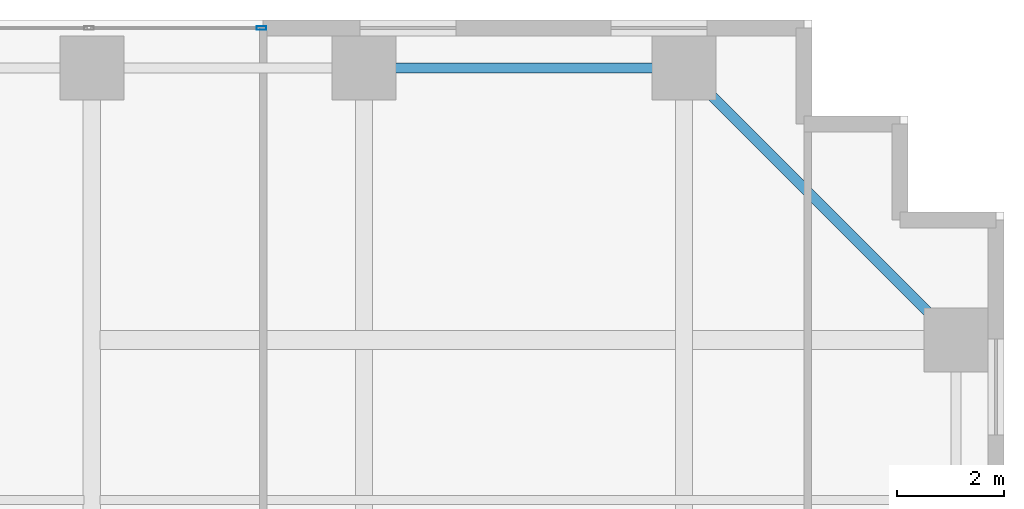
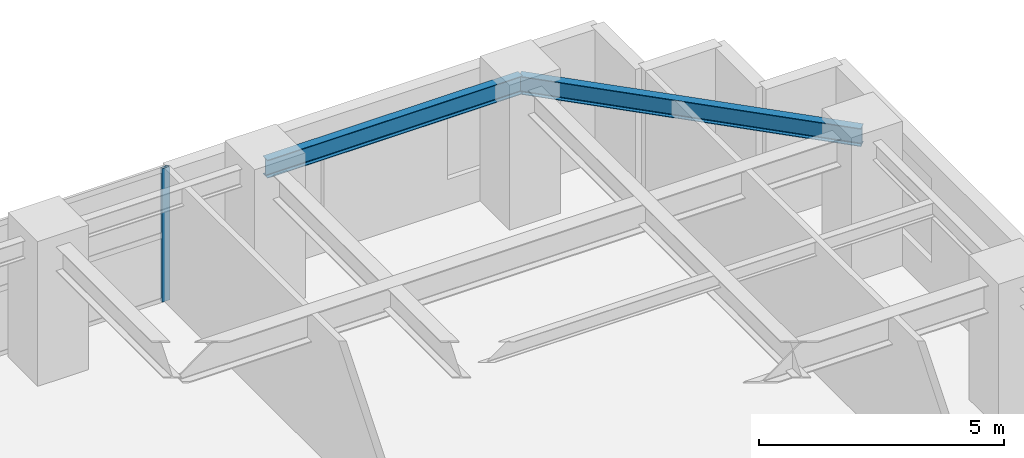
# One storey, part 18 of 24: 2 beams, 1 member, 1 element without a shape of its own.
"""IFC4 building model written with IfcOpenShell, lengths in metres."""

import ifcopenshell
import ifcopenshell.guid

model = None  # the IFC model being written
_history = None  # IfcOwnerHistory: only IFC2X3 demands one
_inside = {}  # id of a spatial element -> (the spatial element, [elements in it])
_under = {}  # id of a project, library or spatial element -> (it, [spatial elements below it])
_declared = {}  # id of a project -> (the project, [libraries it declares])
_typed = {}  # id of a type object -> (the type object, [elements of that type])
_made_of = {}  # id of a material, layer set ... -> (it, [elements and type objects made of it])


def new_model(schema):
    """Start an empty IFC model of exactly this schema.

    Asked for "IFC4X3", IfcOpenShell would pick the latest addendum, in which some entities
    have other attributes; the version numbers below select the first issue.
    IFC2X3 requires an IfcOwnerHistory on every rooted entity: one is made here for all.
    """
    global model, _history
    if schema == "IFC4X3":
        model = ifcopenshell.file(schema_version=(4, 3, 0, 0))
    else:
        model = ifcopenshell.file(schema=schema)
    _inside.clear()
    _under.clear()
    _declared.clear()
    _typed.clear()
    _made_of.clear()
    _history = None
    if model.schema == "IFC2X3":
        org = make("IfcOrganization", Name="unknown")
        user = make(
            "IfcPersonAndOrganization",
            ThePerson=make("IfcPerson", FamilyName="unknown"),
            TheOrganization=org,
        )
        app = make(
            "IfcApplication",
            ApplicationDeveloper=org,
            Version="unknown",
            ApplicationFullName="unknown",
            ApplicationIdentifier="unknown",
        )
        _history = make(
            "IfcOwnerHistory",
            OwningUser=user,
            OwningApplication=app,
            ChangeAction="ADDED",
            CreationDate=0,
        )
    return model


def make(cls, **values):
    """One entity of the class cls with the attributes given. An attribute that is None is left unset."""
    return model.create_entity(
        cls, **{name: value for name, value in values.items() if value is not None}
    )


def rooted(cls, **values):
    """An entity with a GlobalId (a new one), such as an element, a storey or a relation."""
    return make(cls, GlobalId=ifcopenshell.guid.new(), OwnerHistory=_history, **values)


def si_unit(unit_type, name, prefix=None):
    """IfcSIUnit, for example si_unit("LENGTHUNIT", "METRE", prefix="MILLI")."""
    return make("IfcSIUnit", UnitType=unit_type, Prefix=prefix, Name=name)


def assignment(units):
    """IfcUnitAssignment: the units of a project."""
    return None if units is None else make("IfcUnitAssignment", Units=units)


def point(xyz):
    """IfcCartesianPoint."""
    return None if xyz is None else make("IfcCartesianPoint", Coordinates=xyz)


def direction(xyz):
    """IfcDirection."""
    return None if xyz is None else make("IfcDirection", DirectionRatios=xyz)


def frame(location, z_axis=None, x_axis=None):
    """IfcAxis2Placement3D, a coordinate frame: its origin and axes. An axis left out is left unset."""
    return make(
        "IfcAxis2Placement3D",
        Location=point(location),
        Axis=direction(z_axis),
        RefDirection=direction(x_axis),
    )


def frame_2d(location, x_axis=None):
    """IfcAxis2Placement2D, a coordinate frame in the plane: its origin and x axis."""
    return make(
        "IfcAxis2Placement2D", Location=point(location), RefDirection=direction(x_axis)
    )


def origin():
    """The frame at (0, 0, 0) with its axes left unset."""
    return frame((0.0, 0.0, 0.0))


def origin_2d():
    """The frame at (0, 0) in the plane with its x axis left unset."""
    return frame_2d((0.0, 0.0))


def place(relative_to, where):
    """IfcLocalPlacement: puts the frame where relative to a parent placement (None: the world)."""
    return make(
        "IfcLocalPlacement", PlacementRelTo=relative_to, RelativePlacement=where
    )


def context(
    kind, dimensions, precision=None, world=None, true_north=None, identifier=None
):
    """IfcGeometricRepresentationContext, for example the 3D "Model" context."""
    return make(
        "IfcGeometricRepresentationContext",
        ContextIdentifier=identifier,
        ContextType=kind,
        CoordinateSpaceDimension=dimensions,
        Precision=precision,
        WorldCoordinateSystem=world,
        TrueNorth=true_north,
    )


def subcontext(parent, identifier, kind, view, scale=None):
    """IfcGeometricRepresentationSubContext, for example "Body" below "Model"."""
    return make(
        "IfcGeometricRepresentationSubContext",
        ContextIdentifier=identifier,
        ContextType=kind,
        ParentContext=parent,
        TargetScale=scale,
        TargetView=view,
    )


def project(units=None, contexts=None):
    """IfcProject with its units and contexts."""
    return rooted(
        "IfcProject",
        Name="project",
        RepresentationContexts=contexts,
        UnitsInContext=assignment(units),
    )


def spatial(cls, under=None, at=None, **own):
    """A site, building, storey or space (cls), placed at a placement, below another one or the project."""
    s = rooted(cls, ObjectPlacement=at, **own)
    if under is not None:
        _under.setdefault(under.id(), (under, []))[1].append(s)
    return s


def profile(cls, at=None, kind="AREA", **sizes):
    """A parametric profile (cls). Its sizes go by their IFC names, for example OverallWidth=200.0."""
    return make(cls, ProfileType=kind, Position=at, **sizes)


def hollow_rectangle(**sizes):
    """IfcRectangleHollowProfileDef."""
    return profile("IfcRectangleHollowProfileDef", **sizes)


def i_section(**sizes):
    """IfcIShapeProfileDef."""
    return profile("IfcIShapeProfileDef", **sizes)


def extrude(swept, where, along, depth):
    """IfcExtrudedAreaSolid: the profile swept, set in the frame where, extruded along a direction by depth."""
    return make(
        "IfcExtrudedAreaSolid",
        SweptArea=swept,
        Position=where,
        ExtrudedDirection=direction(along),
        Depth=depth,
    )


def shape(context_of_items, identifier, shape_type, items):
    """IfcShapeRepresentation: the items that make up one representation, for example the "Body"."""
    return make(
        "IfcShapeRepresentation",
        ContextOfItems=context_of_items,
        RepresentationIdentifier=identifier,
        RepresentationType=shape_type,
        Items=items,
    )


def source(mapping_origin, context_of_items, identifier, shape_type, items):
    """IfcRepresentationMap: a shape defined once, which mapped items show again and again."""
    return make(
        "IfcRepresentationMap",
        MappingOrigin=mapping_origin,
        MappedRepresentation=shape(context_of_items, identifier, shape_type, items),
    )


def transform(
    local_origin,
    x_axis=None,
    y_axis=None,
    z_axis=None,
    scale=None,
    scale2=None,
    scale3=None,
    uniform=True,
):
    """IfcCartesianTransformationOperator3D, or its non-uniform kind. x_axis, y_axis, z_axis: its Axis1, 2, 3."""
    if uniform:
        return make(
            "IfcCartesianTransformationOperator3D",
            Axis1=direction(x_axis),
            Axis2=direction(y_axis),
            LocalOrigin=point(local_origin),
            Scale=scale,
            Axis3=direction(z_axis),
        )
    return make(
        "IfcCartesianTransformationOperator3DnonUniform",
        Axis1=direction(x_axis),
        Axis2=direction(y_axis),
        LocalOrigin=point(local_origin),
        Scale=scale,
        Axis3=direction(z_axis),
        Scale2=scale2,
        Scale3=scale3,
    )


def mapped(mapping_source, mapping_target):
    """IfcMappedItem: shows the shape of a source again, moved by a transform."""
    return make(
        "IfcMappedItem", MappingSource=mapping_source, MappingTarget=mapping_target
    )


def material(Name=None, Category=None):
    """IfcMaterial."""
    return make("IfcMaterial", Name=Name, Category=Category)


def layer(
    of_material, thickness, ventilated=None, Name=None, Category=None, Priority=None
):
    """IfcMaterialLayer: one layer of a wall or slab, of a material (None: an air gap)."""
    return make(
        "IfcMaterialLayer",
        Material=of_material,
        LayerThickness=thickness,
        IsVentilated=ventilated,
        Name=Name,
        Category=Category,
        Priority=Priority,
    )


def layer_set(layers, Name=None):
    """IfcMaterialLayerSet."""
    return make("IfcMaterialLayerSet", MaterialLayers=layers, LayerSetName=Name)


def material_profile(
    of_material, cross_section, Name=None, Category=None, Priority=None
):
    """IfcMaterialProfile: a cross section and its material."""
    return make(
        "IfcMaterialProfile",
        Name=Name,
        Material=of_material,
        Profile=cross_section,
        Priority=Priority,
        Category=Category,
    )


def profile_set(profiles, Name=None, composite=None):
    """IfcMaterialProfileSet."""
    return make(
        "IfcMaterialProfileSet",
        Name=Name,
        MaterialProfiles=profiles,
        CompositeProfile=composite,
    )


def made_of(thing, what):
    """Note that an element or type object is made of a material, layer set ...; save() writes the relation."""
    if what is not None:
        _made_of.setdefault(what.id(), (what, []))[1].append(thing)
    return thing


def type_object(cls, material=None, **own):
    """A type object (cls), such as IfcWallType, which elements share."""
    return made_of(rooted(cls, **own), material)


def element(
    cls,
    number,
    at=None,
    inside=None,
    cuts=None,
    type_object=None,
    material=None,
    context=None,
    identifier="Body",
    shape_type=None,
    held_by="IfcProductDefinitionShape",
    body=None,
    shapes=None,
    **own,
):
    """One element of the class cls, such as IfcWall. Its Tag is "e" and its number.

    at: its placement. inside: the storey or other place that contains it. cuts: it is an
    opening in that element (IfcRelVoidsElement). A single representation is given by context,
    identifier, shape_type and body (its items); several are given by shapes. held_by: the class
    of the entity that holds the representations. save() writes the other relations.
    """
    e = rooted(cls, Tag="e%d" % number, ObjectPlacement=at, **own)
    if body is not None:
        shapes = [shape(context, identifier, shape_type, body)]
    if shapes is not None:
        e.Representation = make(held_by, Representations=shapes)
    if inside is not None:
        _inside.setdefault(inside.id(), (inside, []))[1].append(e)
    if cuts is not None:
        rooted(
            "IfcRelVoidsElement", RelatingBuildingElement=cuts, RelatedOpeningElement=e
        )
    if type_object is not None:
        _typed.setdefault(type_object.id(), (type_object, []))[1].append(e)
    return made_of(e, material)


def aggregate(whole, parts):
    """IfcRelAggregates: a whole, such as a stair, and the parts it consists of."""
    return rooted("IfcRelAggregates", RelatingObject=whole, RelatedObjects=parts)


def save(model, path):
    """Write the relations noted so far, then the file.

    IfcRelAggregates (storeys below a building ...), IfcRelContainedInSpatialStructure (elements
    in a storey), IfcRelDefinesByType, IfcRelAssociatesMaterial and IfcRelDeclares: one each for
    every whole, place, type object, material and project.
    """
    for whole, parts in _under.values():
        aggregate(whole, parts)
    for where, things in _inside.values():
        rooted(
            "IfcRelContainedInSpatialStructure",
            RelatedElements=things,
            RelatingStructure=where,
        )
    for kind, things in _typed.values():
        rooted("IfcRelDefinesByType", RelatedObjects=things, RelatingType=kind)
    for what, things in _made_of.values():
        rooted("IfcRelAssociatesMaterial", RelatedObjects=things, RelatingMaterial=what)
    for by, libraries in _declared.values():
        rooted("IfcRelDeclares", RelatingContext=by, RelatedDefinitions=libraries)
    model.write(path)


model = new_model("IFC4")

# Units and contexts
model_context = context("Model", 3, precision=1e-05, world=origin(), true_north=direction((0.0, 1.0)))
body_context = subcontext(model_context, "Body", "Model", "MODEL_VIEW")
ifc_project = project(units=[si_unit("LENGTHUNIT", "METRE"), si_unit("AREAUNIT", "SQUARE_METRE"), si_unit("VOLUMEUNIT", "CUBIC_METRE"), si_unit("PLANEANGLEUNIT", "RADIAN"), si_unit("MASSUNIT", "GRAM", prefix="KILO")], contexts=[model_context])

# Site, building, storey
site_placement = place(None, origin())
site = spatial("IfcSite", under=ifc_project, at=site_placement, CompositionType="ELEMENT")
building_placement = place(site_placement, origin())
building = spatial("IfcBuilding", under=site, at=building_placement, Name="Khoralis Quay Care Tower", CompositionType="ELEMENT")
storey_placement = place(building_placement, frame((0.0, 0.0, 62.10009765625)))
storey = spatial("IfcBuildingStorey", under=building, at=storey_placement, Name="L16", CompositionType="ELEMENT", Elevation=62.10009765625)

# Beams
ifc_material_1 = material(Name="Steel S355", Category="steel")
ifc_material_profile_1 = material_profile(ifc_material_1, i_section(OverallWidth=0.18994140625, OverallDepth=0.449951171875, WebThickness=0.009521484375, FlangeThickness=0.0146484375, FilletRadius=0.02099609375, at=origin_2d()), Name="Steel S355")
ifc_profile_set_1 = profile_set([ifc_material_profile_1], Name="Steel S355")
beam_type = type_object("IfcBeamType", Name="BM-IPE450", PredefinedType="SPANDREL", material=ifc_profile_set_1)
shared_shape_1 = source(origin(), body_context, "Body", "SweptSolid", [
    extrude(i_section(OverallWidth=0.18994140625, OverallDepth=0.449951171875, WebThickness=0.009521484375, FlangeThickness=0.0146484375, FilletRadius=0.02099609375, at=origin_2d()), origin(), (0.0, 0.0, 1.0), 6.0),
])
beam_1_placement = place(storey_placement, frame((36.0, 47.10009765625, 3.094970703125), z_axis=(1.0, 0.0, 0.0), x_axis=(0.0, 1.0, 0.0)))
element("IfcBeam", 1, at=beam_1_placement, inside=storey, type_object=beam_type, Name="BM-TSP-L16-12", PredefinedType="SPANDREL", context=body_context, shape_type="MappedRepresentation", body=[
    mapped(shared_shape_1, transform((0.0, 0.0, 0.0), scale=1.0)),
])
shared_shape_2 = source(origin(), body_context, "Body", "SweptSolid", [
    extrude(i_section(OverallWidth=0.18994140625, OverallDepth=0.449951171875, WebThickness=0.009521484375, FlangeThickness=0.0146484375, FilletRadius=0.02099609375, at=origin_2d()), origin(), (0.0, 0.0, 1.0), 7.212646484375),
])
beam_2_placement = place(storey_placement, frame((42.0, 47.10009765625, 3.094970703125), z_axis=(0.707106781187, -0.707106781187, 0.0), x_axis=(0.707106781187, 0.707106781187, 0.0)))
element("IfcBeam", 2, at=beam_2_placement, inside=storey, type_object=beam_type, Name="BM-TCR-L16-28", PredefinedType="SPANDREL", context=body_context, shape_type="MappedRepresentation", body=[
    mapped(shared_shape_2, transform((0.0, 0.0, 0.0), scale=1.0)),
])

# Curtain wall, member
ifc_material_2 = material(Name="Pale anodised aluminium", Category="aluminium")
ifc_layer = layer(ifc_material_2, 0.179931640625)
ifc_layer_set = layer_set([ifc_layer], Name="Pale anodised aluminium")
curtain_wall_type = type_object("IfcCurtainWallType", Name="CW-SYS-Z1", PredefinedType="NOTDEFINED", material=ifc_layer_set)
curtain_wall_placement = place(storey_placement, origin())
curtain_wall = element("IfcCurtainWall", 3, at=curtain_wall_placement, inside=storey, type_object=curtain_wall_type, Name="L16 Unitised Curtain Wall CW-L16-P1-E10", PredefinedType="NOTDEFINED")
ifc_material_profile_2 = material_profile(ifc_material_2, hollow_rectangle(XDim=0.06494140625, YDim=0.179931640625, WallThickness=0.00390625, at=origin_2d()), Name="Pale anodised aluminium")
ifc_profile_set_2 = profile_set([ifc_material_profile_2], Name="Pale anodised aluminium")
member_type = type_object("IfcMemberType", Name="CW-MUL-180", PredefinedType="MULLION", material=ifc_profile_set_2)
shared_shape_3 = source(origin(), body_context, "Body", "SweptSolid", [
    extrude(hollow_rectangle(XDim=0.06494140625, YDim=0.179931640625, WallThickness=0.00390625, at=origin_2d()), origin(), (0.0, 0.0, 1.0), 3.31982421875),
])
member_placement = place(storey_placement, frame((34.080078125, 47.85009765625, 0.0), z_axis=(0.0, 0.0, 1.0), x_axis=(0.0, -1.0, 0.0)))
member = element("IfcMember", 4, at=member_placement, type_object=member_type, Name="CW1 mullion 1", PredefinedType="MULLION", context=body_context, shape_type="MappedRepresentation", body=[
    mapped(shared_shape_3, transform((0.0, 0.0, 0.0), scale=1.0)),
])
aggregate(curtain_wall, [member])

save(model, "model.ifc")
